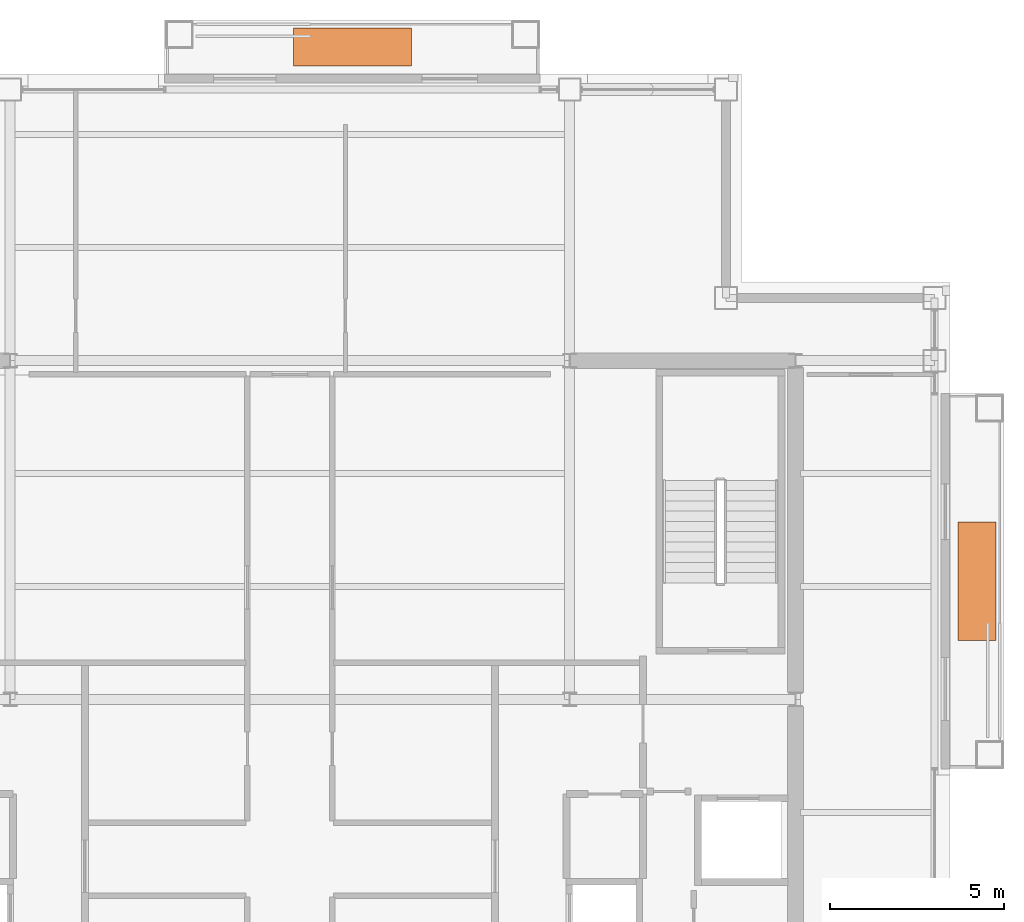
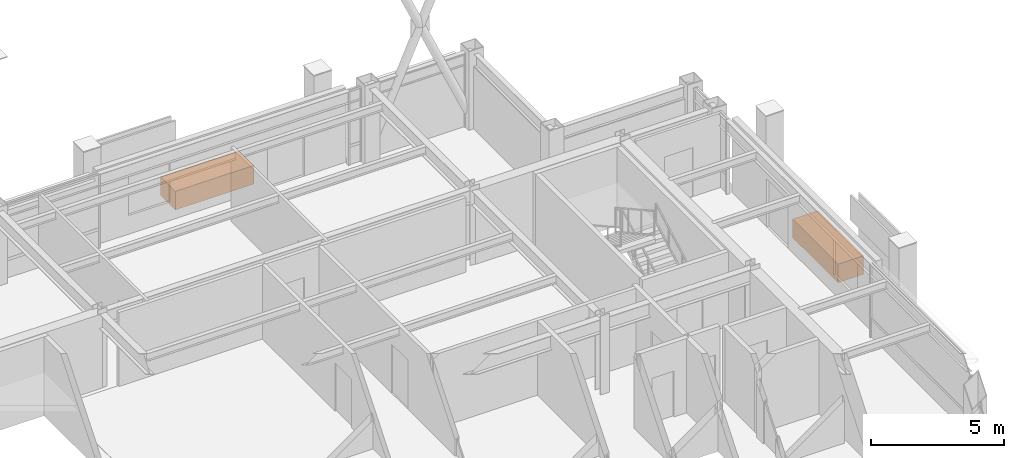
# One storey, part 28 of 28: 2 proxies.
"""IFC4 building model written with IfcOpenShell, lengths in metres."""

from ifc_helpers import new_model, si_unit, direction, frame, origin, origin_2d, place, context, subcontext, project, spatial, rectangle, extrude, material, type_object, element, save


model = new_model("IFC4")

# Units and contexts
model_context = context("Model", 3, precision=1e-05, world=origin(), true_north=direction((0.0, 1.0)))
body_context = subcontext(model_context, "Body", "Model", "MODEL_VIEW")
ifc_project = project(units=[si_unit("LENGTHUNIT", "METRE"), si_unit("AREAUNIT", "SQUARE_METRE"), si_unit("VOLUMEUNIT", "CUBIC_METRE"), si_unit("PLANEANGLEUNIT", "RADIAN"), si_unit("MASSUNIT", "GRAM", prefix="KILO")], contexts=[model_context])

# Site, building, storey
site_placement = place(None, origin())
site = spatial("IfcSite", under=ifc_project, at=site_placement, CompositionType="ELEMENT")
building_placement = place(site_placement, origin())
building = spatial("IfcBuilding", under=site, at=building_placement, Name="Brelmoor Portico Tower", CompositionType="ELEMENT")
storey_placement = place(building_placement, frame((0.0, 0.0, 225.60009765625)))
storey = spatial("IfcBuildingStorey", under=building, at=storey_placement, Name="L59", CompositionType="ELEMENT", Elevation=225.60009765625)

# Proxies
ifc_material = material(Name="Architectural Precast Concrete C40", Category="concrete")
building_element_proxy_type = type_object("IfcBuildingElementProxyType", Name="TREE PLANTER", PredefinedType="USERDEFINED", material=ifc_material)
for number, where, z_axis, x_axis, name in (
    (1, (1.800048828125, 18.77490234375, -0.000244140625), (0.0, 0.0, 1.0), (1.0, 0.0, 0.0), "L59 Planted Tree Planter N"),
    (2, (19.77490234375, 3.39990234375, -0.000244140625), (0.0, 0.0, 1.0), (0.0, 1.0, 0.0), "L59 Planted Tree Planter E"),
):
    element("IfcBuildingElementProxy", number, at=place(storey_placement, frame(where, z_axis=z_axis, x_axis=x_axis)), inside=storey, type_object=building_element_proxy_type, Name=name, ObjectType="PLANTER", PredefinedType="USERDEFINED", context=body_context, shape_type="SweptSolid", body=[
        extrude(rectangle(XDim=3.39990234375, YDim=1.10009765625, at=origin_2d()), origin(), (0.0, 0.0, 1.0), 0.85009765625),
    ])

save(model, "model.ifc")
